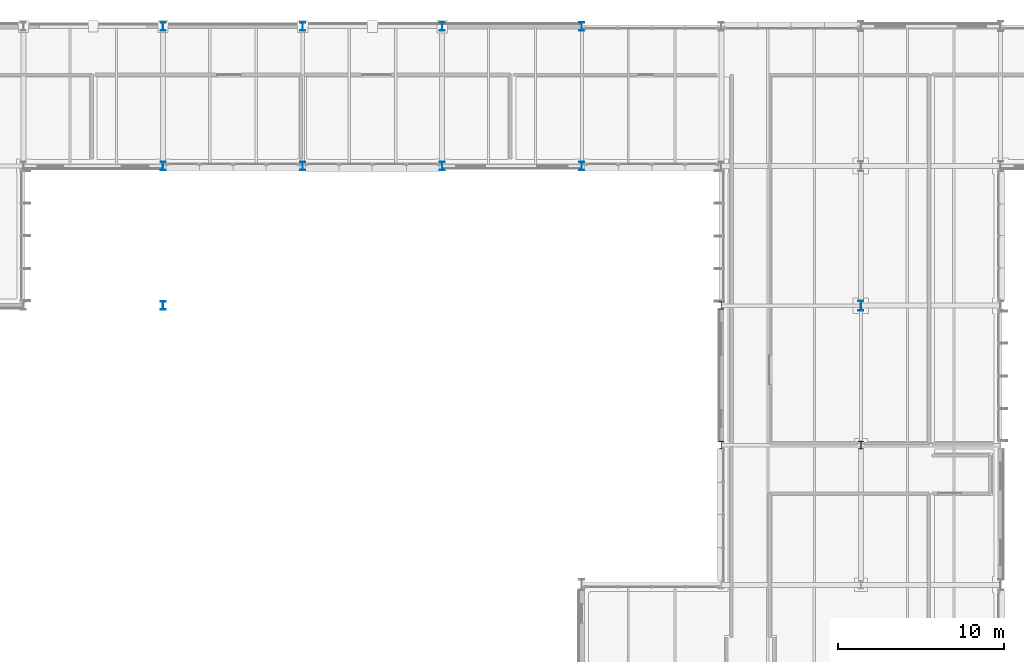
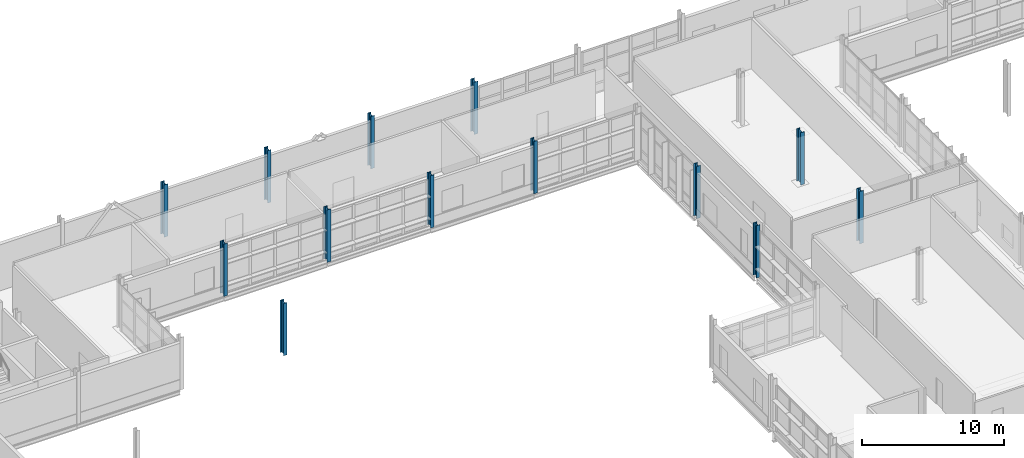
# One storey, part 12 of 129: 13 columns.
"""IFC4 building model written with IfcOpenShell, lengths in metres."""

from ifc_helpers import new_model, si_unit, direction, frame, origin, origin_2d, place, context, subcontext, project, spatial, i_section, extrude, material, material_profile, profile_set, type_object, element, save


model = new_model("IFC4")

# Units and contexts
model_context = context("Model", 3, precision=1e-05, world=origin(), true_north=direction((0.0, 1.0)))
body_context = subcontext(model_context, "Body", "Model", "MODEL_VIEW")
ifc_project = project(units=[si_unit("LENGTHUNIT", "METRE"), si_unit("AREAUNIT", "SQUARE_METRE"), si_unit("VOLUMEUNIT", "CUBIC_METRE"), si_unit("PLANEANGLEUNIT", "RADIAN"), si_unit("MASSUNIT", "GRAM", prefix="KILO")], contexts=[model_context])

# Site, building, storey
site_placement = place(None, origin())
site = spatial("IfcSite", under=ifc_project, at=site_placement, CompositionType="ELEMENT")
building_placement = place(site_placement, origin())
building = spatial("IfcBuilding", under=site, at=building_placement, Name="Mersafa Astral City Hall", CompositionType="ELEMENT")
storey_placement = place(building_placement, frame((0.0, 0.0, 5.39990234375)))
storey = spatial("IfcBuildingStorey", under=building, at=storey_placement, Name="L01", CompositionType="ELEMENT", Elevation=5.39990234375)

# Columns
ifc_material = material(Name="Steel S355", Category="steel")
ifc_material_profile_1 = material_profile(ifc_material, i_section(OverallWidth=0.300048828125, OverallDepth=0.449951171875, WebThickness=0.013916015625, FlangeThickness=0.02587890625, FilletRadius=0.027099609375, at=origin_2d()), Name="HEB 450")
ifc_profile_set_1 = profile_set([ifc_material_profile_1], Name="Steel S355")
column_type_1 = type_object("IfcColumnType", Name="STR-COL-HEB450", PredefinedType="COLUMN", material=ifc_profile_set_1)
for number, where, z_axis, x_axis, name in (
    (1, (100.800048828125, 100.800048828125, 0.0), (0.0, 0.0, 1.0), (1.0, 0.0, 0.0), "L01 Structural column G-12-12"),
    (2, (100.800048828125, 109.199951171875, 0.0), (0.0, 0.0, 1.0), (1.0, 0.0, 0.0), "L01 Structural column G-12-13"),
    (3, (109.199951171875, 100.800048828125, 0.0), (0.0, 0.0, 1.0), (1.0, 0.0, 0.0), "L01 Structural column G-13-12"),
):
    element("IfcColumn", number, at=place(storey_placement, frame(where, z_axis=z_axis, x_axis=x_axis)), inside=storey, type_object=column_type_1, Name=name, PredefinedType="COLUMN", context=body_context, shape_type="SweptSolid", body=[
        extrude(i_section(OverallWidth=0.300048828125, OverallDepth=0.449951171875, WebThickness=0.013916015625, FlangeThickness=0.02587890625, FilletRadius=0.027099609375, at=origin_2d()), origin(), (0.0, 0.0, 1.0), 4.5),
    ])
ifc_material_profile_2 = material_profile(ifc_material, i_section(OverallWidth=0.300048828125, OverallDepth=0.5, WebThickness=0.014404296875, FlangeThickness=0.028076171875, FilletRadius=0.027099609375, at=origin_2d()), Name="HEB 500")
ifc_profile_set_2 = profile_set([ifc_material_profile_2], Name="Steel S355")
column_type_2 = type_object("IfcColumnType", Name="STR-COL-HEB500", PredefinedType="COLUMN", material=ifc_profile_set_2)
for number, where, z_axis, x_axis, name in (
    (4, (67.199951171875, 109.199951171875, 0.0), (0.0, 0.0, 1.0), (1.0, 0.0, 0.0), "L01 Structural column G-08-13"),
    (5, (67.199951171875, 117.60009765625, 0.0), (0.0, 0.0, 1.0), (1.0, 0.0, 0.0), "L01 Structural column G-08-14"),
    (6, (67.199951171875, 126.0, 0.0), (0.0, 0.0, 1.0), (1.0, 0.0, 0.0), "L01 Structural column G-08-15"),
    (7, (75.60009765625, 117.60009765625, 0.0), (0.0, 0.0, 1.0), (1.0, 0.0, 0.0), "L01 Structural column G-09-14"),
    (8, (75.60009765625, 126.0, 0.0), (0.0, 0.0, 1.0), (1.0, 0.0, 0.0), "L01 Structural column G-09-15"),
    (9, (84.0, 117.60009765625, 0.0), (0.0, 0.0, 1.0), (1.0, 0.0, 0.0), "L01 Structural column G-10-14"),
    (10, (84.0, 126.0, 0.0), (0.0, 0.0, 1.0), (1.0, 0.0, 0.0), "L01 Structural column G-10-15"),
    (11, (92.39990234375, 117.60009765625, 0.0), (0.0, 0.0, 1.0), (1.0, 0.0, 0.0), "L01 Structural column G-11-14"),
    (12, (92.39990234375, 126.0, 0.0), (0.0, 0.0, 1.0), (1.0, 0.0, 0.0), "L01 Structural column G-11-15"),
):
    element("IfcColumn", number, at=place(storey_placement, frame(where, z_axis=z_axis, x_axis=x_axis)), inside=storey, type_object=column_type_2, Name=name, PredefinedType="COLUMN", context=body_context, shape_type="SweptSolid", body=[
        extrude(i_section(OverallWidth=0.300048828125, OverallDepth=0.5, WebThickness=0.014404296875, FlangeThickness=0.028076171875, FilletRadius=0.027099609375, at=origin_2d()), origin(), (0.0, 0.0, 1.0), 4.5),
    ])
ifc_material_profile_3 = material_profile(ifc_material, i_section(OverallWidth=0.300048828125, OverallDepth=0.60009765625, WebThickness=0.015380859375, FlangeThickness=0.030029296875, FilletRadius=0.027099609375, at=origin_2d()), Name="HEB 600")
ifc_profile_set_3 = profile_set([ifc_material_profile_3], Name="Steel S355")
column_type_3 = type_object("IfcColumnType", Name="STR-COL-HEB600", PredefinedType="COLUMN", material=ifc_profile_set_3)
column_placement = place(storey_placement, frame((109.199951171875, 109.199951171875, 0.0), z_axis=(0.0, 0.0, 1.0), x_axis=(1.0, 0.0, 0.0)))
element("IfcColumn", 13, at=column_placement, inside=storey, type_object=column_type_3, Name="L01 Structural column G-13-13", PredefinedType="COLUMN", context=body_context, shape_type="SweptSolid", body=[
    extrude(i_section(OverallWidth=0.300048828125, OverallDepth=0.60009765625, WebThickness=0.015380859375, FlangeThickness=0.030029296875, FilletRadius=0.027099609375, at=origin_2d()), origin(), (0.0, 0.0, 1.0), 4.5),
])

save(model, "model.ifc")
